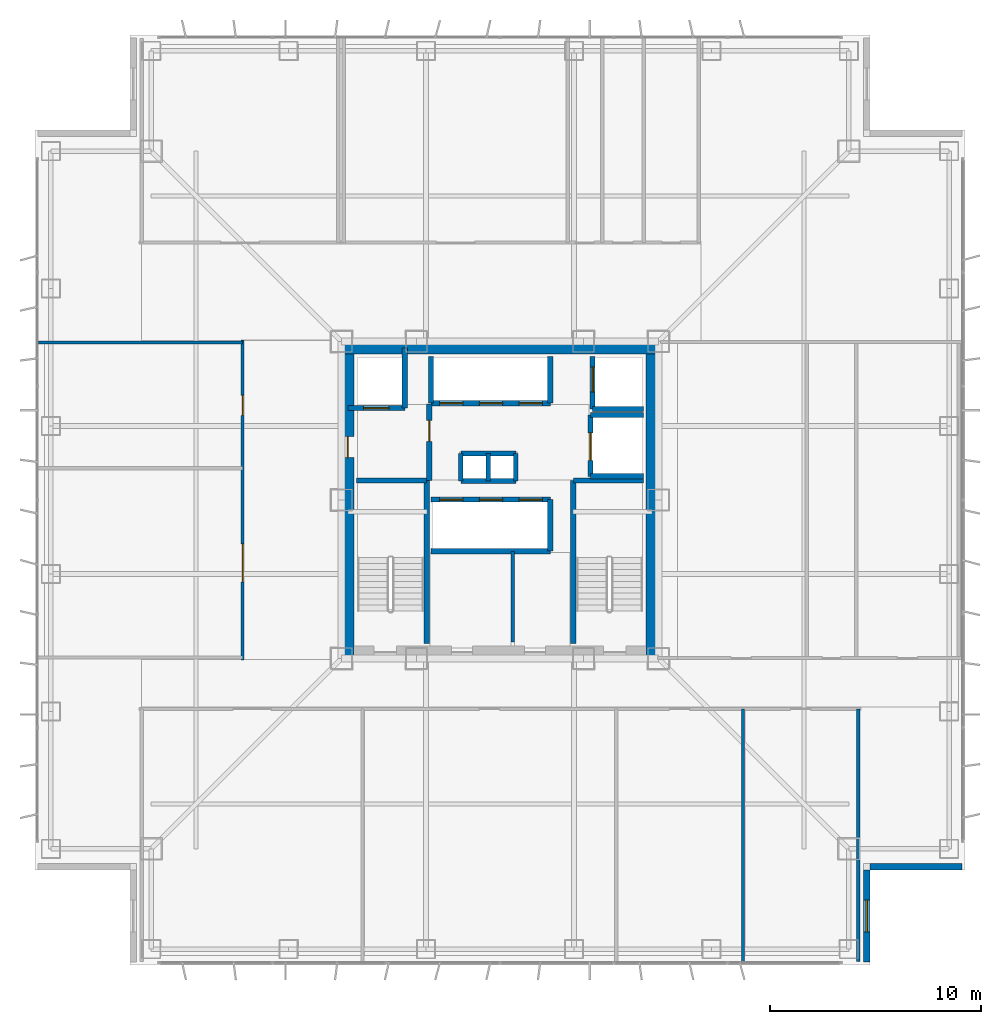
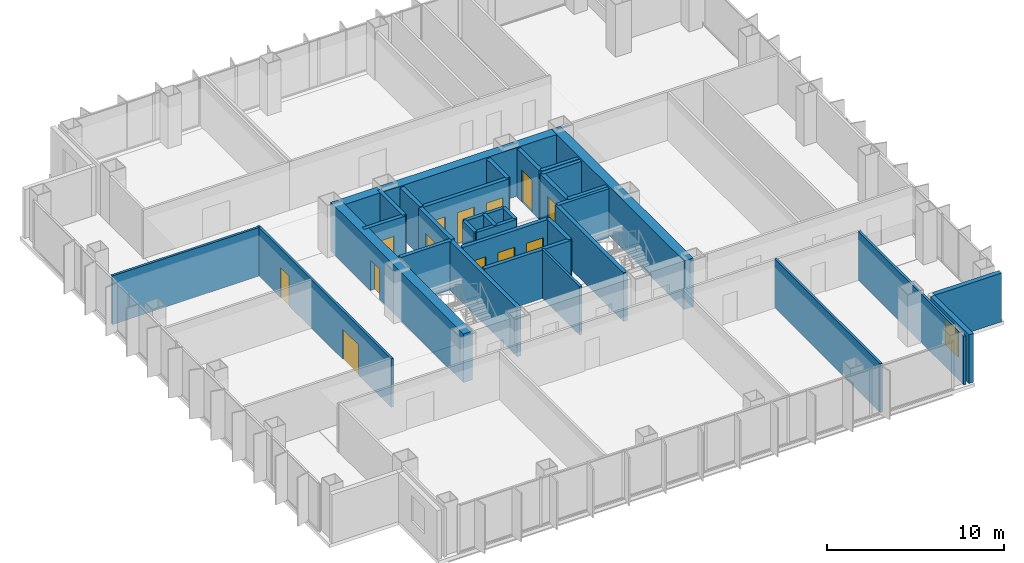
# One storey, part 13 of 17: 33 walls, 13 doors, 1 window, 14 openings.
"""IFC4 building model written with IfcOpenShell, lengths in metres."""

from ifc_helpers import new_model, si_unit, direction, frame, frame_2d, origin, place, context, subcontext, project, spatial, rectangle, extrude, material, layer, layer_set, type_object, element, fill, save


model = new_model("IFC4")

# Units and contexts
model_context = context("Model", 3, precision=1e-05, world=origin(), true_north=direction((0.0, 1.0)))
body_context = subcontext(model_context, "Body", "Model", "MODEL_VIEW")
ifc_project = project(units=[si_unit("LENGTHUNIT", "METRE"), si_unit("AREAUNIT", "SQUARE_METRE"), si_unit("VOLUMEUNIT", "CUBIC_METRE"), si_unit("PLANEANGLEUNIT", "RADIAN"), si_unit("MASSUNIT", "GRAM", prefix="KILO")], contexts=[model_context])

# Site, building, storey
site_placement = place(None, origin())
site = spatial("IfcSite", under=ifc_project, at=site_placement, CompositionType="ELEMENT")
building_placement = place(site_placement, origin())
building = spatial("IfcBuilding", under=site, at=building_placement, Name="Trevonay Congress Spire", CompositionType="ELEMENT")
storey_placement = place(building_placement, frame((0.0, 0.0, 126.39990234375)))
storey = spatial("IfcBuildingStorey", under=building, at=storey_placement, Name="L32", CompositionType="ELEMENT", Elevation=126.39990234375)

# Wall
ifc_material_1 = material(Name="Concrete C60/75", Category="concrete")
ifc_layer_1 = layer(ifc_material_1, 0.60009765625, Name="Concrete C60/75")
ifc_layer_set_1 = layer_set([ifc_layer_1], Name="Concrete C60/75")
wall_type_1 = type_object("IfcWallType", Name="WAL-CORE-600", PredefinedType="SHEAR", material=ifc_layer_set_1)
wall_1_placement = place(storey_placement, frame((-7.5, 7.199951171875, 0.0), z_axis=(0.0, 0.0, 1.0), x_axis=(1.0, 0.0, 0.0)))
element("IfcWall", 1, at=wall_1_placement, inside=storey, type_object=wall_type_1, Name="L32 North structural core shear wall", PredefinedType="SHEAR", context=body_context, shape_type="SweptSolid", body=[
    extrude(rectangle(XDim=15.0, YDim=0.60009765625, at=frame_2d((7.5, 0.0))), origin(), (0.0, 0.0, 1.0), 3.360107421875),
])

# Wall, opening, door
wall_2_placement = place(storey_placement, frame((-7.199951171875, -7.5, 0.0), z_axis=(0.0, 0.0, 1.0), x_axis=(0.0, 1.0, 0.0)))
wall_2 = element("IfcWall", 2, at=wall_2_placement, inside=storey, type_object=wall_type_1, Name="L32 West structural core shear wall", PredefinedType="SHEAR", context=body_context, shape_type="SweptSolid", body=[
    extrude(rectangle(XDim=15.0, YDim=0.60009765625, at=frame_2d((7.5, 0.0))), origin(), (0.0, 0.0, 1.0), 3.360107421875),
])
opening_1_placement = place(wall_2_placement, frame((9.5, 0.0, 0.0)))
opening_1 = element("IfcOpeningElement", 3, at=opening_1_placement, cuts=wall_2, Name="Opening D06", PredefinedType="OPENING", context=body_context, shape_type="SweptSolid", body=[
    extrude(rectangle(XDim=1.0, YDim=2.080078125, at=frame_2d((0.5, 1.0400390625))), frame((0.0, 0.31005859375, 0.0), z_axis=(0.0, -1.0, 0.0), x_axis=(1.0, 0.0, 0.0)), (0.0, 0.0, 1.0), 0.6201171875),
])
ifc_material_2 = material(Name="Steel ASTM A572 Grade 50", Category="steel")
door_type_1 = type_object("IfcDoorType", Name="DOR-FIRE-100", OperationType="NOTDEFINED", PredefinedType="DOOR", material=ifc_material_2)
door_1_placement = place(opening_1_placement, origin())
door_1 = element("IfcDoor", 4, at=door_1_placement, inside=storey, type_object=door_type_1, Name="L32 Firefighting Lift Lobby West Corridor Door", OperationType="SINGLE_SWING_LEFT", OverallHeight=2.080078125, OverallWidth=1.0, PredefinedType="DOOR", context=body_context, shape_type="SweptSolid", body=[
    extrude(rectangle(XDim=1.0, YDim=2.080078125, at=frame_2d((0.5, 1.0400390625))), frame((0.0, 0.02490234375, 0.0), z_axis=(0.0, -1.0, 0.0), x_axis=(1.0, 0.0, 0.0)), (0.0, 0.0, 1.0), 0.050048828125),
])
fill(opening_1, door_1)

# Wall
wall_3_placement = place(storey_placement, frame((7.199951171875, -7.5, 0.0), z_axis=(0.0, 0.0, 1.0), x_axis=(0.0, 1.0, 0.0)))
element("IfcWall", 5, at=wall_3_placement, inside=storey, type_object=wall_type_1, Name="L32 East structural core shear wall", PredefinedType="SHEAR", context=body_context, shape_type="SweptSolid", body=[
    extrude(rectangle(XDim=15.0, YDim=0.60009765625, at=frame_2d((7.5, 0.0))), origin(), (0.0, 0.0, 1.0), 3.360107421875),
])

# Wall, openings, doors
ifc_material_3 = material(Name="Concrete C40/50", Category="concrete")
ifc_layer_2 = layer(ifc_material_3, 0.14990234375, Name="Concrete C40/50")
ifc_layer_set_2 = layer_set([ifc_layer_2], Name="Concrete C40/50")
wall_type_2 = type_object("IfcWallType", Name="WAL-CORR-150", PredefinedType="PARTITIONING", material=ifc_layer_set_2)
wall_4_placement = place(storey_placement, frame((-12.179931640625, -7.570068359375, 0.0), z_axis=(0.0, 0.0, 1.0), x_axis=(0.0, 1.0, 0.0)))
wall_4 = element("IfcWall", 6, at=wall_4_placement, inside=storey, type_object=wall_type_2, Name="L32 interior wall WP-L32W-COR", PredefinedType="PARTITIONING", context=body_context, shape_type="SweptSolid", body=[
    extrude(rectangle(XDim=15.14013671875, YDim=0.14990234375, at=frame_2d((7.570068359375, 0.0))), origin(), (0.0, 0.0, 1.0), 3.360107421875),
])
opening_2_placement = place(wall_4_placement, frame((3.695068359375, 0.0, 0.0)))
opening_2 = element("IfcOpeningElement", 7, at=opening_2_placement, cuts=wall_4, Name="Opening D09", PredefinedType="OPENING", context=body_context, shape_type="SweptSolid", body=[
    extrude(rectangle(XDim=1.800048828125, YDim=2.080078125, at=frame_2d((0.89990234375, 1.0400390625))), frame((0.0, 0.0849609375, 0.0), z_axis=(0.0, -1.0, 0.0), x_axis=(1.0, 0.0, 0.0)), (0.0, 0.0, 1.0), 0.169921875),
])
opening_3_placement = place(wall_4_placement, frame((11.570068359375, 0.0, 0.0)))
opening_3 = element("IfcOpeningElement", 8, at=opening_3_placement, cuts=wall_4, Name="Opening D07", PredefinedType="OPENING", context=body_context, shape_type="SweptSolid", body=[
    extrude(rectangle(XDim=0.949951171875, YDim=2.06005859375, at=frame_2d((0.47509765625, 1.030029296875))), frame((0.0, 0.0849609375, 0.0), z_axis=(0.0, -1.0, 0.0), x_axis=(1.0, 0.0, 0.0)), (0.0, 0.0, 1.0), 0.169921875),
])
ifc_material_4 = material(Name="Pale Anodised Aluminium EN AW-6063-T6", Category="aluminium")
door_type_2 = type_object("IfcDoorType", Name="DOR-CONF-DBL", OperationType="DOUBLE_DOOR_SINGLE_SWING", PredefinedType="DOOR", material=ifc_material_4)
door_2_placement = place(opening_2_placement, origin())
door_2 = element("IfcDoor", 9, at=door_2_placement, inside=storey, type_object=door_type_2, Name="L32 Delegates Club Lounge Door", OperationType="DOUBLE_DOOR_SINGLE_SWING", OverallHeight=2.080078125, OverallWidth=1.800048828125, PredefinedType="DOOR", context=body_context, shape_type="SweptSolid", body=[
    extrude(rectangle(XDim=1.800048828125, YDim=2.080078125, at=frame_2d((0.89990234375, 1.0400390625))), frame((0.0, 0.02490234375, 0.0), z_axis=(0.0, -1.0, 0.0), x_axis=(1.0, 0.0, 0.0)), (0.0, 0.0, 1.0), 0.050048828125),
])
fill(opening_2, door_2)
door_type_3 = type_object("IfcDoorType", Name="DOR-OFFICE-95", OperationType="NOTDEFINED", PredefinedType="DOOR", material=ifc_material_4)
door_3_placement = place(opening_3_placement, origin())
door_3 = element("IfcDoor", 10, at=door_3_placement, inside=storey, type_object=door_type_3, Name="L32 Sommelier Bar Door", OperationType="SINGLE_SWING_RIGHT", OverallHeight=2.06005859375, OverallWidth=0.949951171875, PredefinedType="DOOR", context=body_context, shape_type="SweptSolid", body=[
    extrude(rectangle(XDim=0.949951171875, YDim=2.06005859375, at=frame_2d((0.47509765625, 1.030029296875))), frame((0.0, 0.02490234375, 0.0), z_axis=(0.0, -1.0, 0.0), x_axis=(1.0, 0.0, 0.0)), (0.0, 0.0, 1.0), 0.050048828125),
])
fill(opening_3, door_3)

# Wall, opening, window
ifc_material_5 = material(Name="Precast concrete C40/50", Category="concrete")
ifc_layer_3 = layer(ifc_material_5, 0.300048828125, Name="Precast concrete C40/50")
ifc_layer_set_3 = layer_set([ifc_layer_3], Name="Precast concrete C40/50")
wall_type_3 = type_object("IfcWallType", Name="WAL-EXT-PRECAST-300", PredefinedType="SOLIDWALL", material=ifc_layer_set_3)
wall_5_placement = place(storey_placement, frame((17.35009765625, -21.85009765625, 0.0), z_axis=(0.0, 0.0, 1.0), x_axis=(0.0, 1.0, 0.0)))
wall_5 = element("IfcWall", 11, at=wall_5_placement, inside=storey, type_object=wall_type_3, Name="L32 SE re-entrant notch exterior wall 1", PredefinedType="SOLIDWALL", context=body_context, shape_type="SweptSolid", body=[
    extrude(rectangle(XDim=4.35009765625, YDim=0.300048828125, at=frame_2d((2.175048828125, 0.0))), origin(), (0.0, 0.0, 1.0), 3.360107421875),
])
opening_4_placement = place(wall_5_placement, frame((1.425048828125, 0.0, 0.89990234375)))
opening_4 = element("IfcOpeningElement", 12, at=opening_4_placement, cuts=wall_5, Name="Opening WN03", PredefinedType="OPENING", context=body_context, shape_type="SweptSolid", body=[
    extrude(rectangle(XDim=1.5, YDim=1.800048828125, at=frame_2d((0.75, 0.89990234375))), frame((0.0, 0.16015625, 0.0), z_axis=(0.0, -1.0, 0.0), x_axis=(1.0, 0.0, 0.0)), (0.0, 0.0, 1.0), 0.320068359375),
])
ifc_material_6 = material(Name="Insulated Low-E Vision Glass IGU", Category="glass")
window_type = type_object("IfcWindowType", Name="WIN-NOTCH-150X180", PartitioningType="SINGLE_PANEL", PredefinedType="WINDOW", material=ifc_material_6)
window_placement = place(opening_4_placement, origin())
window = element("IfcWindow", 13, at=window_placement, inside=storey, type_object=window_type, Name="L32 SE corner notch window", OverallHeight=1.800048828125, OverallWidth=1.5, PartitioningType="SINGLE_PANEL", PredefinedType="WINDOW", context=body_context, shape_type="SweptSolid", body=[
    extrude(rectangle(XDim=1.5, YDim=1.800048828125, at=frame_2d((0.75, 0.89990234375))), frame((0.0, 0.030029296875, 0.0), z_axis=(0.0, -1.0, 0.0), x_axis=(1.0, 0.0, 0.0)), (0.0, 0.0, 1.0), 0.06005859375),
])
fill(opening_4, window)

# Walls
wall_6_placement = place(storey_placement, frame((21.85009765625, -17.35009765625, 0.0), z_axis=(0.0, 0.0, 1.0), x_axis=(-1.0, 0.0, 0.0)))
element("IfcWall", 14, at=wall_6_placement, inside=storey, type_object=wall_type_3, Name="L32 SE re-entrant notch exterior wall 2", PredefinedType="SOLIDWALL", context=body_context, shape_type="SweptSolid", body=[
    extrude(rectangle(XDim=4.35009765625, YDim=0.300048828125, at=frame_2d((2.175048828125, 0.0))), origin(), (0.0, 0.0, 1.0), 3.360107421875),
])
ifc_layer_4 = layer(ifc_material_3, 0.14990234375, Name="Concrete C40/50")
ifc_layer_set_4 = layer_set([ifc_layer_4], Name="Concrete C40/50")
wall_type_4 = type_object("IfcWallType", Name="WAL-PART-150", PredefinedType="PARTITIONING", material=ifc_layer_set_4)
wall_7_placement = place(storey_placement, frame((0.60009765625, -6.719970703125, 0.0), z_axis=(0.0, 0.0, 1.0), x_axis=(0.0, 1.0, 0.0)))
element("IfcWall", 15, at=wall_7_placement, inside=storey, type_object=wall_type_4, Name="L32 interior wall CW-F1V-L32", PredefinedType="PARTITIONING", context=body_context, shape_type="SweptSolid", body=[
    extrude(rectangle(XDim=4.2900390625, YDim=0.14990234375, at=frame_2d((2.14501953125, 0.0))), origin(), (0.0, 0.0, 1.0), 3.360107421875),
])
for number, where, z_axis, x_axis, name in (
    (16, (11.5, -21.820068359375, 0.0), (0.0, 0.0, 1.0), (0.0, 1.0, 0.0), "L32 interior wall WP-L32S-DIV4"),
    (17, (16.949951171875, -21.820068359375, 0.0), (0.0, 0.0, 1.0), (0.0, 1.0, 0.0), "L32 interior wall WP-L32S-DIV5"),
):
    element("IfcWall", number, at=place(storey_placement, frame(where, z_axis=z_axis, x_axis=x_axis)), inside=storey, type_object=wall_type_4, Name=name, PredefinedType="PARTITIONING", context=body_context, shape_type="SweptSolid", body=[
        extrude(rectangle(XDim=11.940185546875, YDim=0.14990234375, at=frame_2d((5.97021484375, 0.0))), origin(), (0.0, 0.0, 1.0), 3.360107421875),
    ])
wall_8_placement = place(storey_placement, frame((-21.820068359375, 7.449951171875, 0.0), z_axis=(0.0, 0.0, 1.0), x_axis=(1.0, 0.0, 0.0)))
element("IfcWall", 18, at=wall_8_placement, inside=storey, type_object=wall_type_4, Name="L32 interior wall WP-L32W-DIV3", PredefinedType="PARTITIONING", context=body_context, shape_type="SweptSolid", body=[
    extrude(rectangle(XDim=9.64013671875, YDim=0.14990234375, at=frame_2d((4.820068359375, 0.0))), origin(), (0.0, 0.0, 1.0), 3.360107421875),
])
ifc_layer_5 = layer(ifc_material_3, 0.219970703125, Name="Concrete C40/50")
ifc_layer_set_5 = layer_set([ifc_layer_5], Name="Concrete C40/50")
wall_type_5 = type_object("IfcWallType", Name="WAL-SHAFT-220", PredefinedType="PARTITIONING", material=ifc_layer_set_5)
for number, where, z_axis, x_axis, name in (
    (19, (-1.85009765625, 2.199951171875, 0.0), (0.0, 0.0, 1.0), (1.0, 0.0, 0.0), "L32 interior shaft wall WSH-L32-RSR-N"),
    (20, (-1.85009765625, 0.89990234375, 0.0), (0.0, 0.0, 1.0), (1.0, 0.0, 0.0), "L32 interior shaft wall WSH-L32-RSR-S"),
):
    element("IfcWall", number, at=place(storey_placement, frame(where, z_axis=z_axis, x_axis=x_axis)), inside=storey, type_object=wall_type_5, Name=name, PredefinedType="PARTITIONING", context=body_context, shape_type="SweptSolid", body=[
        extrude(rectangle(XDim=2.60009765625, YDim=0.219970703125, at=frame_2d((1.300048828125, 0.0))), origin(), (0.0, 0.0, 1.0), 3.360107421875),
    ])
for number, where, z_axis, x_axis, name in (
    (21, (-0.550048828125, 0.89990234375, 0.0), (0.0, 0.0, 1.0), (0.0, 1.0, 0.0), "L32 interior shaft wall WSH-L32-RSR-M"),
    (22, (0.75, 0.89990234375, 0.0), (0.0, 0.0, 1.0), (0.0, 1.0, 0.0), "L32 interior shaft wall WSH-L32-RSR-E"),
    (23, (-1.85009765625, 0.89990234375, 0.0), (0.0, 0.0, 1.0), (0.0, 1.0, 0.0), "L32 interior shaft wall WSH-L32-RSR-W"),
):
    element("IfcWall", number, at=place(storey_placement, frame(where, z_axis=z_axis, x_axis=x_axis)), inside=storey, type_object=wall_type_5, Name=name, PredefinedType="PARTITIONING", context=body_context, shape_type="SweptSolid", body=[
        extrude(rectangle(XDim=1.300048828125, YDim=0.219970703125, at=frame_2d((0.64990234375, 0.0))), origin(), (0.0, 0.0, 1.0), 3.360107421875),
    ])

# Wall, openings, doors
ifc_layer_6 = layer(ifc_material_3, 0.25, Name="Concrete C40/50")
ifc_layer_set_6 = layer_set([ifc_layer_6], Name="Concrete C40/50")
wall_type_6 = type_object("IfcWallType", Name="WAL-SHAFT-250", PredefinedType="SHEAR", material=ifc_layer_set_6)
wall_9_placement = place(storey_placement, frame((-3.260009765625, 0.02001953125, 0.0), z_axis=(0.0, 0.0, 1.0), x_axis=(1.0, 0.0, 0.0)))
wall_9 = element("IfcWall", 24, at=wall_9_placement, inside=storey, type_object=wall_type_6, Name="L32 interior shaft wall WSH-L32-B2-N", PredefinedType="SHEAR", context=body_context, shape_type="SweptSolid", body=[
    extrude(rectangle(XDim=5.639892578125, YDim=0.25, at=frame_2d((2.81982421875, 0.0))), origin(), (0.0, 0.0, 1.0), 3.360107421875),
])
opening_5_placement = place(wall_9_placement, frame((0.39990234375, 0.0, 0.0)))
opening_5 = element("IfcOpeningElement", 25, at=opening_5_placement, cuts=wall_9, Name="Opening LD02", PredefinedType="OPENING", context=body_context, shape_type="SweptSolid", body=[
    extrude(rectangle(XDim=1.10009765625, YDim=2.199951171875, at=frame_2d((0.550048828125, 1.10009765625))), frame((0.0, 0.135009765625, 0.0), z_axis=(0.0, -1.0, 0.0), x_axis=(1.0, 0.0, 0.0)), (0.0, 0.0, 1.0), 0.27001953125),
])
opening_6_placement = place(wall_9_placement, frame((2.280029296875, 0.0, 0.0)))
opening_6 = element("IfcOpeningElement", 26, at=opening_6_placement, cuts=wall_9, Name="Opening LD02", PredefinedType="OPENING", context=body_context, shape_type="SweptSolid", body=[
    extrude(rectangle(XDim=1.10009765625, YDim=2.199951171875, at=frame_2d((0.550048828125, 1.10009765625))), frame((0.0, 0.135009765625, 0.0), z_axis=(0.0, -1.0, 0.0), x_axis=(1.0, 0.0, 0.0)), (0.0, 0.0, 1.0), 0.27001953125),
])
opening_7_placement = place(wall_9_placement, frame((4.159912109375, 0.0, 0.0)))
opening_7 = element("IfcOpeningElement", 27, at=opening_7_placement, cuts=wall_9, Name="Opening LD02", PredefinedType="OPENING", context=body_context, shape_type="SweptSolid", body=[
    extrude(rectangle(XDim=1.10009765625, YDim=2.199951171875, at=frame_2d((0.550048828125, 1.10009765625))), frame((0.0, 0.135009765625, 0.0), z_axis=(0.0, -1.0, 0.0), x_axis=(1.0, 0.0, 0.0)), (0.0, 0.0, 1.0), 0.27001953125),
])
door_type_4 = type_object("IfcDoorType", Name="DOR-LIFT-LD02", OperationType="DOUBLE_DOOR_SLIDING", PredefinedType="DOOR", material=ifc_material_4)
door_4_placement = place(opening_5_placement, origin())
door_4 = element("IfcDoor", 28, at=door_4_placement, inside=storey, type_object=door_type_4, Name="L32 Passenger lift PL-04 landing door", OperationType="DOUBLE_DOOR_SLIDING", OverallHeight=2.199951171875, OverallWidth=1.10009765625, PredefinedType="DOOR", context=body_context, shape_type="SweptSolid", body=[
    extrude(rectangle(XDim=1.10009765625, YDim=2.199951171875, at=frame_2d((0.550048828125, 1.10009765625))), frame((0.0, 0.02490234375, 0.0), z_axis=(0.0, -1.0, 0.0), x_axis=(1.0, 0.0, 0.0)), (0.0, 0.0, 1.0), 0.050048828125),
])
fill(opening_5, door_4)
door_5_placement = place(opening_6_placement, origin())
door_5 = element("IfcDoor", 29, at=door_5_placement, inside=storey, type_object=door_type_4, Name="L32 Passenger lift PL-05 landing door", OperationType="DOUBLE_DOOR_SLIDING", OverallHeight=2.199951171875, OverallWidth=1.10009765625, PredefinedType="DOOR", context=body_context, shape_type="SweptSolid", body=[
    extrude(rectangle(XDim=1.10009765625, YDim=2.199951171875, at=frame_2d((0.550048828125, 1.10009765625))), frame((0.0, 0.02490234375, 0.0), z_axis=(0.0, -1.0, 0.0), x_axis=(1.0, 0.0, 0.0)), (0.0, 0.0, 1.0), 0.050048828125),
])
fill(opening_6, door_5)
door_6_placement = place(opening_7_placement, origin())
door_6 = element("IfcDoor", 30, at=door_6_placement, inside=storey, type_object=door_type_4, Name="L32 Passenger lift PL-06 landing door", OperationType="DOUBLE_DOOR_SLIDING", OverallHeight=2.199951171875, OverallWidth=1.10009765625, PredefinedType="DOOR", context=body_context, shape_type="SweptSolid", body=[
    extrude(rectangle(XDim=1.10009765625, YDim=2.199951171875, at=frame_2d((0.550048828125, 1.10009765625))), frame((0.0, 0.02490234375, 0.0), z_axis=(0.0, -1.0, 0.0), x_axis=(1.0, 0.0, 0.0)), (0.0, 0.0, 1.0), 0.050048828125),
])
fill(opening_7, door_6)

# Walls
wall_10_placement = place(storey_placement, frame((-3.260009765625, -2.419921875, 0.0), z_axis=(0.0, 0.0, 1.0), x_axis=(1.0, 0.0, 0.0)))
element("IfcWall", 31, at=wall_10_placement, inside=storey, type_object=wall_type_6, Name="L32 interior shaft wall WSH-L32-B2-S", PredefinedType="SHEAR", context=body_context, shape_type="SweptSolid", body=[
    extrude(rectangle(XDim=5.639892578125, YDim=0.25, at=frame_2d((2.81982421875, 0.0))), origin(), (0.0, 0.0, 1.0), 3.360107421875),
])
wall_11_placement = place(storey_placement, frame((2.3798828125, -2.419921875, 0.0), z_axis=(0.0, 0.0, 1.0), x_axis=(0.0, 1.0, 0.0)))
element("IfcWall", 32, at=wall_11_placement, inside=storey, type_object=wall_type_6, Name="L32 interior shaft wall WSH-L32-B2-E", PredefinedType="SHEAR", context=body_context, shape_type="SweptSolid", body=[
    extrude(rectangle(XDim=2.43994140625, YDim=0.25, at=frame_2d((1.219970703125, 0.0))), origin(), (0.0, 0.0, 1.0), 3.360107421875),
])

# Wall, openings, doors
wall_12_placement = place(storey_placement, frame((-3.260009765625, 4.580078125, 0.0), z_axis=(0.0, 0.0, 1.0), x_axis=(1.0, 0.0, 0.0)))
wall_12 = element("IfcWall", 33, at=wall_12_placement, inside=storey, type_object=wall_type_6, Name="L32 interior shaft wall WSH-L32-B3-S", PredefinedType="SHEAR", context=body_context, shape_type="SweptSolid", body=[
    extrude(rectangle(XDim=5.639892578125, YDim=0.25, at=frame_2d((2.81982421875, 0.0))), origin(), (0.0, 0.0, 1.0), 3.360107421875),
])
opening_8_placement = place(wall_12_placement, frame((0.39990234375, 0.0, 0.0)))
opening_8 = element("IfcOpeningElement", 34, at=opening_8_placement, cuts=wall_12, Name="Opening LD03", PredefinedType="OPENING", context=body_context, shape_type="SweptSolid", body=[
    extrude(rectangle(XDim=1.10009765625, YDim=2.199951171875, at=frame_2d((0.550048828125, 1.10009765625))), frame((0.0, 0.135009765625, 0.0), z_axis=(0.0, -1.0, 0.0), x_axis=(1.0, 0.0, 0.0)), (0.0, 0.0, 1.0), 0.27001953125),
])
opening_9_placement = place(wall_12_placement, frame((2.280029296875, 0.0, 0.0)))
opening_9 = element("IfcOpeningElement", 35, at=opening_9_placement, cuts=wall_12, Name="Opening LD03", PredefinedType="OPENING", context=body_context, shape_type="SweptSolid", body=[
    extrude(rectangle(XDim=1.10009765625, YDim=2.199951171875, at=frame_2d((0.550048828125, 1.10009765625))), frame((0.0, 0.135009765625, 0.0), z_axis=(0.0, -1.0, 0.0), x_axis=(1.0, 0.0, 0.0)), (0.0, 0.0, 1.0), 0.27001953125),
])
opening_10_placement = place(wall_12_placement, frame((4.159912109375, 0.0, 0.0)))
opening_10 = element("IfcOpeningElement", 36, at=opening_10_placement, cuts=wall_12, Name="Opening LD03", PredefinedType="OPENING", context=body_context, shape_type="SweptSolid", body=[
    extrude(rectangle(XDim=1.10009765625, YDim=2.199951171875, at=frame_2d((0.550048828125, 1.10009765625))), frame((0.0, 0.135009765625, 0.0), z_axis=(0.0, -1.0, 0.0), x_axis=(1.0, 0.0, 0.0)), (0.0, 0.0, 1.0), 0.27001953125),
])
door_type_5 = type_object("IfcDoorType", Name="DOR-LIFT-LD03", OperationType="DOUBLE_DOOR_SLIDING", PredefinedType="DOOR", material=ifc_material_4)
door_7_placement = place(opening_8_placement, origin())
door_7 = element("IfcDoor", 37, at=door_7_placement, inside=storey, type_object=door_type_5, Name="L32 Passenger lift PL-07 landing door", OperationType="DOUBLE_DOOR_SLIDING", OverallHeight=2.199951171875, OverallWidth=1.10009765625, PredefinedType="DOOR", context=body_context, shape_type="SweptSolid", body=[
    extrude(rectangle(XDim=1.10009765625, YDim=2.199951171875, at=frame_2d((0.550048828125, 1.10009765625))), frame((0.0, 0.02490234375, 0.0), z_axis=(0.0, -1.0, 0.0), x_axis=(1.0, 0.0, 0.0)), (0.0, 0.0, 1.0), 0.050048828125),
])
fill(opening_8, door_7)
door_8_placement = place(opening_9_placement, origin())
door_8 = element("IfcDoor", 38, at=door_8_placement, inside=storey, type_object=door_type_5, Name="L32 Passenger lift PL-08 landing door", OperationType="DOUBLE_DOOR_SLIDING", OverallHeight=2.199951171875, OverallWidth=1.10009765625, PredefinedType="DOOR", context=body_context, shape_type="SweptSolid", body=[
    extrude(rectangle(XDim=1.10009765625, YDim=2.199951171875, at=frame_2d((0.550048828125, 1.10009765625))), frame((0.0, 0.02490234375, 0.0), z_axis=(0.0, -1.0, 0.0), x_axis=(1.0, 0.0, 0.0)), (0.0, 0.0, 1.0), 0.050048828125),
])
fill(opening_9, door_8)
door_9_placement = place(opening_10_placement, origin())
door_9 = element("IfcDoor", 39, at=door_9_placement, inside=storey, type_object=door_type_5, Name="L32 Passenger lift PL-09 landing door", OperationType="DOUBLE_DOOR_SLIDING", OverallHeight=2.199951171875, OverallWidth=1.10009765625, PredefinedType="DOOR", context=body_context, shape_type="SweptSolid", body=[
    extrude(rectangle(XDim=1.10009765625, YDim=2.199951171875, at=frame_2d((0.550048828125, 1.10009765625))), frame((0.0, 0.02490234375, 0.0), z_axis=(0.0, -1.0, 0.0), x_axis=(1.0, 0.0, 0.0)), (0.0, 0.0, 1.0), 0.050048828125),
])
fill(opening_10, door_9)

# Walls
for number, where, z_axis, x_axis, name in (
    (40, (-3.260009765625, 4.580078125, 0.0), (0.0, 0.0, 1.0), (0.0, 1.0, 0.0), "L32 interior shaft wall WSH-L32-B3-W"),
    (41, (2.3798828125, 4.580078125, 0.0), (0.0, 0.0, 1.0), (0.0, 1.0, 0.0), "L32 interior shaft wall WSH-L32-B3-E"),
):
    element("IfcWall", number, at=place(storey_placement, frame(where, z_axis=z_axis, x_axis=x_axis)), inside=storey, type_object=wall_type_6, Name=name, PredefinedType="SHEAR", context=body_context, shape_type="SweptSolid", body=[
        extrude(rectangle(XDim=2.219970703125, YDim=0.25, at=frame_2d((1.10986328125, 0.0))), origin(), (0.0, 0.0, 1.0), 3.360107421875),
    ])

# Wall, opening, door
wall_13_placement = place(storey_placement, frame((-7.199951171875, 4.35009765625, 0.0), z_axis=(0.0, 0.0, 1.0), x_axis=(1.0, 0.0, 0.0)))
wall_13 = element("IfcWall", 42, at=wall_13_placement, inside=storey, type_object=wall_type_6, Name="L32 interior shaft wall WSH-L32-FF1-S", PredefinedType="SHEAR", context=body_context, shape_type="SweptSolid", body=[
    extrude(rectangle(XDim=2.699951171875, YDim=0.25, at=frame_2d((1.35009765625, 0.0))), origin(), (0.0, 0.0, 1.0), 3.360107421875),
])
opening_11_placement = place(wall_13_placement, frame((0.75, 0.0, 0.0)))
opening_11 = element("IfcOpeningElement", 43, at=opening_11_placement, cuts=wall_13, Name="Opening LD04", PredefinedType="OPENING", context=body_context, shape_type="SweptSolid", body=[
    extrude(rectangle(XDim=1.199951171875, YDim=2.199951171875, at=frame_2d((0.60009765625, 1.10009765625))), frame((0.0, 0.135009765625, 0.0), z_axis=(0.0, -1.0, 0.0), x_axis=(1.0, 0.0, 0.0)), (0.0, 0.0, 1.0), 0.27001953125),
])
door_type_6 = type_object("IfcDoorType", Name="DOR-LIFT-LD04", OperationType="DOUBLE_DOOR_SLIDING", PredefinedType="DOOR", material=ifc_material_2)
door_10_placement = place(opening_11_placement, origin())
door_10 = element("IfcDoor", 44, at=door_10_placement, inside=storey, type_object=door_type_6, Name="L32 Firefighting lift FFL-01 landing door", OperationType="DOUBLE_DOOR_SLIDING", OverallHeight=2.199951171875, OverallWidth=1.199951171875, PredefinedType="DOOR", context=body_context, shape_type="SweptSolid", body=[
    extrude(rectangle(XDim=1.199951171875, YDim=2.199951171875, at=frame_2d((0.60009765625, 1.10009765625))), frame((0.0, 0.02490234375, 0.0), z_axis=(0.0, -1.0, 0.0), x_axis=(1.0, 0.0, 0.0)), (0.0, 0.0, 1.0), 0.050048828125),
])
fill(opening_11, door_10)

# Walls
wall_14_placement = place(storey_placement, frame((-4.5, 4.35009765625, 0.0), z_axis=(0.0, 0.0, 1.0), x_axis=(0.0, 1.0, 0.0)))
element("IfcWall", 45, at=wall_14_placement, inside=storey, type_object=wall_type_6, Name="L32 interior shaft wall WSH-L32-FF1-E", PredefinedType="SHEAR", context=body_context, shape_type="SweptSolid", body=[
    extrude(rectangle(XDim=2.849853515625, YDim=0.25, at=frame_2d((1.4248046875, 0.0))), origin(), (0.0, 0.0, 1.0), 3.360107421875),
])
wall_15_placement = place(storey_placement, frame((4.3798828125, 4.300048828125, 0.0), z_axis=(0.0, 0.0, 1.0), x_axis=(1.0, 0.0, 0.0)))
element("IfcWall", 46, at=wall_15_placement, inside=storey, type_object=wall_type_6, Name="L32 interior shaft wall WSH-L32-FF2-S", PredefinedType="SHEAR", context=body_context, shape_type="SweptSolid", body=[
    extrude(rectangle(XDim=2.420166015625, YDim=0.25, at=frame_2d((1.2099609375, 0.0))), origin(), (0.0, 0.0, 1.0), 3.360107421875),
])

# Wall, opening, door
wall_16_placement = place(storey_placement, frame((4.3798828125, 4.300048828125, 0.0), z_axis=(0.0, 0.0, 1.0), x_axis=(0.0, 1.0, 0.0)))
wall_16 = element("IfcWall", 47, at=wall_16_placement, inside=storey, type_object=wall_type_6, Name="L32 interior shaft wall WSH-L32-FF2-W", PredefinedType="SHEAR", context=body_context, shape_type="SweptSolid", body=[
    extrude(rectangle(XDim=2.5, YDim=0.25, at=frame_2d((1.25, 0.0))), origin(), (0.0, 0.0, 1.0), 3.360107421875),
])
opening_12_placement = place(wall_16_placement, frame((0.800048828125, 0.0, 0.0)))
opening_12 = element("IfcOpeningElement", 48, at=opening_12_placement, cuts=wall_16, Name="Opening LD04", PredefinedType="OPENING", context=body_context, shape_type="SweptSolid", body=[
    extrude(rectangle(XDim=1.199951171875, YDim=2.199951171875, at=frame_2d((0.60009765625, 1.10009765625))), frame((0.0, 0.135009765625, 0.0), z_axis=(0.0, -1.0, 0.0), x_axis=(1.0, 0.0, 0.0)), (0.0, 0.0, 1.0), 0.27001953125),
])
door_11_placement = place(opening_12_placement, origin())
door_11 = element("IfcDoor", 49, at=door_11_placement, inside=storey, type_object=door_type_6, Name="L32 Firefighting lift FFL-02 landing door", OperationType="DOUBLE_DOOR_SLIDING", OverallHeight=2.199951171875, OverallWidth=1.199951171875, PredefinedType="DOOR", context=body_context, shape_type="SweptSolid", body=[
    extrude(rectangle(XDim=1.199951171875, YDim=2.199951171875, at=frame_2d((0.60009765625, 1.10009765625))), frame((0.0, 0.02490234375, 0.0), z_axis=(0.0, -1.0, 0.0), x_axis=(1.0, 0.0, 0.0)), (0.0, 0.0, 1.0), 0.050048828125),
])
fill(opening_12, door_11)

wall_17_placement = place(storey_placement, frame((4.280029296875, 1.1201171875, 0.0), z_axis=(0.0, 0.0, 1.0), x_axis=(0.0, 1.0, 0.0)))
wall_17 = element("IfcWall", 50, at=wall_17_placement, inside=storey, type_object=wall_type_6, Name="L32 interior shaft wall WSH-L32-SV-W", PredefinedType="SHEAR", context=body_context, shape_type="SweptSolid", body=[
    extrude(rectangle(XDim=2.89990234375, YDim=0.25, at=frame_2d((1.449951171875, 0.0))), origin(), (0.0, 0.0, 1.0), 3.360107421875),
])
opening_13_placement = place(wall_17_placement, frame((0.75, 0.0, 0.0)))
opening_13 = element("IfcOpeningElement", 51, at=opening_13_placement, cuts=wall_17, Name="Opening LD05", PredefinedType="OPENING", context=body_context, shape_type="SweptSolid", body=[
    extrude(rectangle(XDim=1.300048828125, YDim=2.300048828125, at=frame_2d((0.64990234375, 1.14990234375))), frame((0.0, 0.135009765625, 0.0), z_axis=(0.0, -1.0, 0.0), x_axis=(1.0, 0.0, 0.0)), (0.0, 0.0, 1.0), 0.27001953125),
])
door_type_7 = type_object("IfcDoorType", Name="DOR-LIFT-LD05", OperationType="DOUBLE_DOOR_SLIDING", PredefinedType="DOOR", material=ifc_material_2)
door_12_placement = place(opening_13_placement, origin())
door_12 = element("IfcDoor", 52, at=door_12_placement, inside=storey, type_object=door_type_7, Name="L32 Goods lift SVL-01 landing door", OperationType="DOUBLE_DOOR_SLIDING", OverallHeight=2.300048828125, OverallWidth=1.300048828125, PredefinedType="DOOR", context=body_context, shape_type="SweptSolid", body=[
    extrude(rectangle(XDim=1.300048828125, YDim=2.300048828125, at=frame_2d((0.64990234375, 1.14990234375))), frame((0.0, 0.02490234375, 0.0), z_axis=(0.0, -1.0, 0.0), x_axis=(1.0, 0.0, 0.0)), (0.0, 0.0, 1.0), 0.050048828125),
])
fill(opening_13, door_12)

# Walls
for number, where, z_axis, x_axis, name in (
    (53, (4.280029296875, 1.1201171875, 0.0), (0.0, 0.0, 1.0), (1.0, 0.0, 0.0), "L32 interior shaft wall WSH-L32-SV-S"),
    (54, (4.280029296875, 4.02001953125, 0.0), (0.0, 0.0, 1.0), (1.0, 0.0, 0.0), "L32 interior shaft wall WSH-L32-SV-N"),
):
    element("IfcWall", number, at=place(storey_placement, frame(where, z_axis=z_axis, x_axis=x_axis)), inside=storey, type_object=wall_type_6, Name=name, PredefinedType="SHEAR", context=body_context, shape_type="SweptSolid", body=[
        extrude(rectangle(XDim=2.52001953125, YDim=0.25, at=frame_2d((1.260009765625, 0.0))), origin(), (0.0, 0.0, 1.0), 3.360107421875),
    ])

# Wall, opening, door
wall_18_placement = place(storey_placement, frame((-3.35009765625, 0.919921875, 0.0), z_axis=(0.0, 0.0, 1.0), x_axis=(0.0, 1.0, 0.0)))
wall_18 = element("IfcWall", 55, at=wall_18_placement, inside=storey, type_object=wall_type_6, Name="L32 interior wall CW-FFLW-E-L32", PredefinedType="SHEAR", context=body_context, shape_type="SweptSolid", body=[
    extrude(rectangle(XDim=3.6201171875, YDim=0.25, at=frame_2d((1.81005859375, 0.0))), origin(), (0.0, 0.0, 1.0), 3.360107421875),
])
opening_14_placement = place(wall_18_placement, frame((1.85009765625, 0.0, 0.0)))
opening_14 = element("IfcOpeningElement", 56, at=opening_14_placement, cuts=wall_18, Name="Opening D06", PredefinedType="OPENING", context=body_context, shape_type="SweptSolid", body=[
    extrude(rectangle(XDim=1.0, YDim=2.080078125, at=frame_2d((0.5, 1.0400390625))), frame((0.0, 0.135009765625, 0.0), z_axis=(0.0, -1.0, 0.0), x_axis=(1.0, 0.0, 0.0)), (0.0, 0.0, 1.0), 0.27001953125),
])
door_13_placement = place(opening_14_placement, origin())
door_13 = element("IfcDoor", 57, at=door_13_placement, inside=storey, type_object=door_type_1, Name="L32 Firefighting Core Lobby Transfer Door", OperationType="SINGLE_SWING_RIGHT", OverallHeight=2.080078125, OverallWidth=1.0, PredefinedType="DOOR", context=body_context, shape_type="SweptSolid", body=[
    extrude(rectangle(XDim=1.0, YDim=2.080078125, at=frame_2d((0.5, 1.0400390625))), frame((0.0, 0.02490234375, 0.0), z_axis=(0.0, -1.0, 0.0), x_axis=(1.0, 0.0, 0.0)), (0.0, 0.0, 1.0), 0.050048828125),
])
fill(opening_14, door_13)

# Walls
ifc_layer_7 = layer(ifc_material_3, 0.25, Name="Concrete C40/50")
ifc_layer_set_7 = layer_set([ifc_layer_7], Name="Concrete C40/50")
wall_type_7 = type_object("IfcWallType", Name="WAL-SHAFT-LB-250", PredefinedType="SHEAR", material=ifc_layer_set_7)
wall_19_placement = place(storey_placement, frame((-3.469970703125, -6.800048828125, 0.0), z_axis=(0.0, 0.0, 1.0), x_axis=(0.0, 1.0, 0.0)))
element("IfcWall", 58, at=wall_19_placement, inside=storey, type_object=wall_type_7, Name="L32 interior shaft wall WSH-L32-ST1-E", PredefinedType="SHEAR", context=body_context, shape_type="SweptSolid", body=[
    extrude(rectangle(XDim=7.719970703125, YDim=0.25, at=frame_2d((3.85986328125, 0.0))), origin(), (0.0, 0.0, 1.0), 3.360107421875),
])
wall_20_placement = place(storey_placement, frame((-6.800048828125, 0.919921875, 0.0), z_axis=(0.0, 0.0, 1.0), x_axis=(1.0, 0.0, 0.0)))
element("IfcWall", 59, at=wall_20_placement, inside=storey, type_object=wall_type_7, Name="L32 interior shaft wall WSH-L32-ST1-N", PredefinedType="SHEAR", context=body_context, shape_type="SweptSolid", body=[
    extrude(rectangle(XDim=3.330078125, YDim=0.25, at=frame_2d((1.6650390625, 0.0))), origin(), (0.0, 0.0, 1.0), 3.360107421875),
])
wall_21_placement = place(storey_placement, frame((3.469970703125, -6.800048828125, 0.0), z_axis=(0.0, 0.0, 1.0), x_axis=(0.0, 1.0, 0.0)))
element("IfcWall", 60, at=wall_21_placement, inside=storey, type_object=wall_type_7, Name="L32 interior shaft wall WSH-L32-ST2-W", PredefinedType="SHEAR", context=body_context, shape_type="SweptSolid", body=[
    extrude(rectangle(XDim=7.719970703125, YDim=0.25, at=frame_2d((3.85986328125, 0.0))), origin(), (0.0, 0.0, 1.0), 3.360107421875),
])
wall_22_placement = place(storey_placement, frame((3.469970703125, 0.919921875, 0.0), z_axis=(0.0, 0.0, 1.0), x_axis=(1.0, 0.0, 0.0)))
element("IfcWall", 61, at=wall_22_placement, inside=storey, type_object=wall_type_7, Name="L32 interior shaft wall WSH-L32-ST2-N", PredefinedType="SHEAR", context=body_context, shape_type="SweptSolid", body=[
    extrude(rectangle(XDim=3.330078125, YDim=0.25, at=frame_2d((1.6650390625, 0.0))), origin(), (0.0, 0.0, 1.0), 3.360107421875),
])

save(model, "model.ifc")
